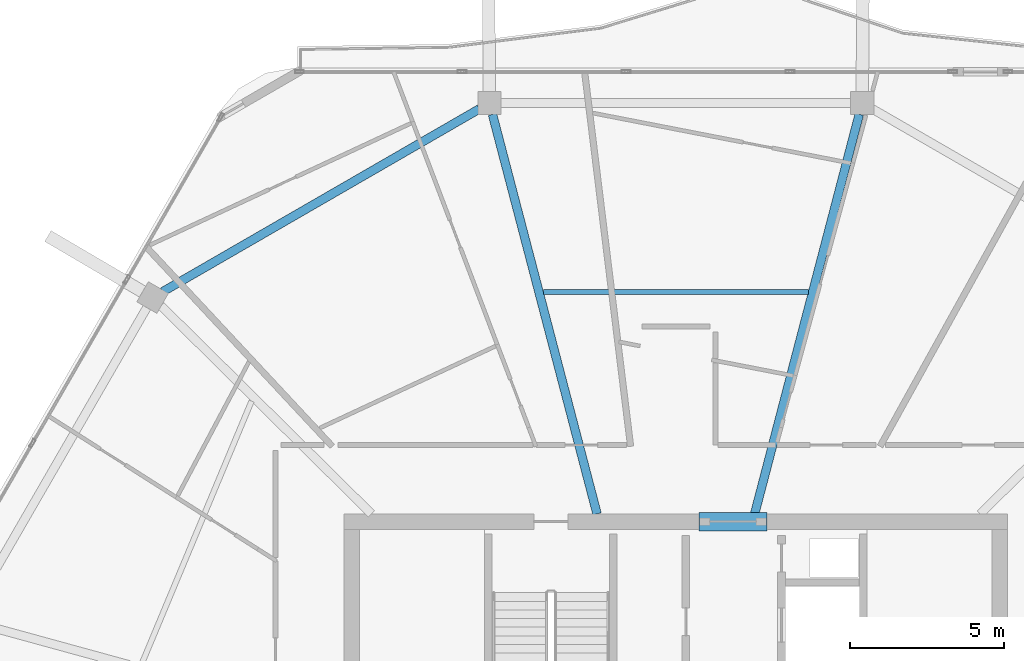
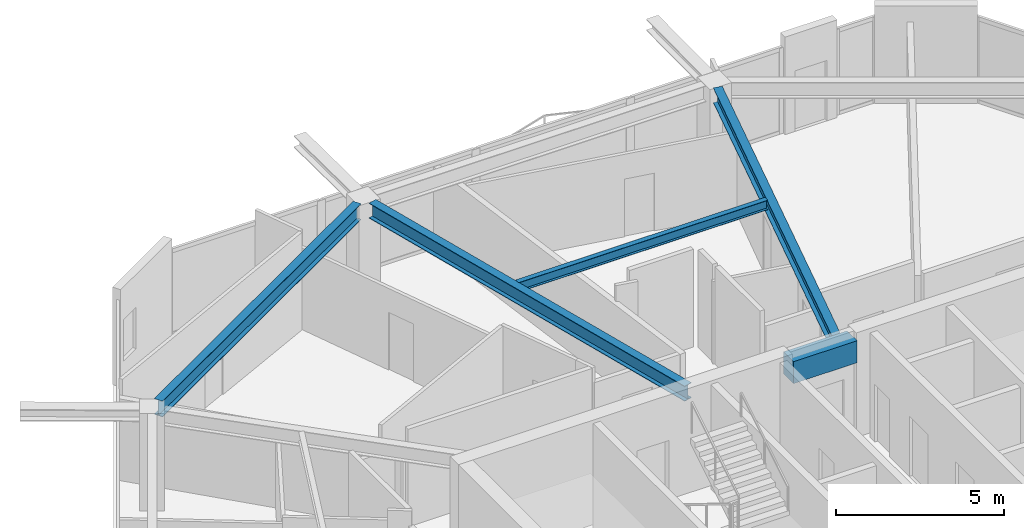
# One storey, part 9 of 21: 5 beams.
"""IFC4 building model written with IfcOpenShell, lengths in metres."""

import ifcopenshell
import ifcopenshell.guid

model = None  # the IFC model being written
_history = None  # IfcOwnerHistory: only IFC2X3 demands one
_inside = {}  # id of a spatial element -> (the spatial element, [elements in it])
_under = {}  # id of a project, library or spatial element -> (it, [spatial elements below it])
_declared = {}  # id of a project -> (the project, [libraries it declares])
_typed = {}  # id of a type object -> (the type object, [elements of that type])
_made_of = {}  # id of a material, layer set ... -> (it, [elements and type objects made of it])


def new_model(schema):
    """Start an empty IFC model of exactly this schema.

    Asked for "IFC4X3", IfcOpenShell would pick the latest addendum, in which some entities
    have other attributes; the version numbers below select the first issue.
    IFC2X3 requires an IfcOwnerHistory on every rooted entity: one is made here for all.
    """
    global model, _history
    if schema == "IFC4X3":
        model = ifcopenshell.file(schema_version=(4, 3, 0, 0))
    else:
        model = ifcopenshell.file(schema=schema)
    _inside.clear()
    _under.clear()
    _declared.clear()
    _typed.clear()
    _made_of.clear()
    _history = None
    if model.schema == "IFC2X3":
        org = make("IfcOrganization", Name="unknown")
        user = make(
            "IfcPersonAndOrganization",
            ThePerson=make("IfcPerson", FamilyName="unknown"),
            TheOrganization=org,
        )
        app = make(
            "IfcApplication",
            ApplicationDeveloper=org,
            Version="unknown",
            ApplicationFullName="unknown",
            ApplicationIdentifier="unknown",
        )
        _history = make(
            "IfcOwnerHistory",
            OwningUser=user,
            OwningApplication=app,
            ChangeAction="ADDED",
            CreationDate=0,
        )
    return model


def make(cls, **values):
    """One entity of the class cls with the attributes given. An attribute that is None is left unset."""
    return model.create_entity(
        cls, **{name: value for name, value in values.items() if value is not None}
    )


def rooted(cls, **values):
    """An entity with a GlobalId (a new one), such as an element, a storey or a relation."""
    return make(cls, GlobalId=ifcopenshell.guid.new(), OwnerHistory=_history, **values)


def si_unit(unit_type, name, prefix=None):
    """IfcSIUnit, for example si_unit("LENGTHUNIT", "METRE", prefix="MILLI")."""
    return make("IfcSIUnit", UnitType=unit_type, Prefix=prefix, Name=name)


def assignment(units):
    """IfcUnitAssignment: the units of a project."""
    return None if units is None else make("IfcUnitAssignment", Units=units)


def point(xyz):
    """IfcCartesianPoint."""
    return None if xyz is None else make("IfcCartesianPoint", Coordinates=xyz)


def direction(xyz):
    """IfcDirection."""
    return None if xyz is None else make("IfcDirection", DirectionRatios=xyz)


def frame(location, z_axis=None, x_axis=None):
    """IfcAxis2Placement3D, a coordinate frame: its origin and axes. An axis left out is left unset."""
    return make(
        "IfcAxis2Placement3D",
        Location=point(location),
        Axis=direction(z_axis),
        RefDirection=direction(x_axis),
    )


def frame_2d(location, x_axis=None):
    """IfcAxis2Placement2D, a coordinate frame in the plane: its origin and x axis."""
    return make(
        "IfcAxis2Placement2D", Location=point(location), RefDirection=direction(x_axis)
    )


def origin():
    """The frame at (0, 0, 0) with its axes left unset."""
    return frame((0.0, 0.0, 0.0))


def origin_2d():
    """The frame at (0, 0) in the plane with its x axis left unset."""
    return frame_2d((0.0, 0.0))


def place(relative_to, where):
    """IfcLocalPlacement: puts the frame where relative to a parent placement (None: the world)."""
    return make(
        "IfcLocalPlacement", PlacementRelTo=relative_to, RelativePlacement=where
    )


def context(
    kind, dimensions, precision=None, world=None, true_north=None, identifier=None
):
    """IfcGeometricRepresentationContext, for example the 3D "Model" context."""
    return make(
        "IfcGeometricRepresentationContext",
        ContextIdentifier=identifier,
        ContextType=kind,
        CoordinateSpaceDimension=dimensions,
        Precision=precision,
        WorldCoordinateSystem=world,
        TrueNorth=true_north,
    )


def subcontext(parent, identifier, kind, view, scale=None):
    """IfcGeometricRepresentationSubContext, for example "Body" below "Model"."""
    return make(
        "IfcGeometricRepresentationSubContext",
        ContextIdentifier=identifier,
        ContextType=kind,
        ParentContext=parent,
        TargetScale=scale,
        TargetView=view,
    )


def project(units=None, contexts=None):
    """IfcProject with its units and contexts."""
    return rooted(
        "IfcProject",
        Name="project",
        RepresentationContexts=contexts,
        UnitsInContext=assignment(units),
    )


def spatial(cls, under=None, at=None, **own):
    """A site, building, storey or space (cls), placed at a placement, below another one or the project."""
    s = rooted(cls, ObjectPlacement=at, **own)
    if under is not None:
        _under.setdefault(under.id(), (under, []))[1].append(s)
    return s


def profile(cls, at=None, kind="AREA", **sizes):
    """A parametric profile (cls). Its sizes go by their IFC names, for example OverallWidth=200.0."""
    return make(cls, ProfileType=kind, Position=at, **sizes)


def rectangle(**sizes):
    """IfcRectangleProfileDef."""
    return profile("IfcRectangleProfileDef", **sizes)


def i_section(**sizes):
    """IfcIShapeProfileDef."""
    return profile("IfcIShapeProfileDef", **sizes)


def extrude(swept, where, along, depth):
    """IfcExtrudedAreaSolid: the profile swept, set in the frame where, extruded along a direction by depth."""
    return make(
        "IfcExtrudedAreaSolid",
        SweptArea=swept,
        Position=where,
        ExtrudedDirection=direction(along),
        Depth=depth,
    )


def shape(context_of_items, identifier, shape_type, items):
    """IfcShapeRepresentation: the items that make up one representation, for example the "Body"."""
    return make(
        "IfcShapeRepresentation",
        ContextOfItems=context_of_items,
        RepresentationIdentifier=identifier,
        RepresentationType=shape_type,
        Items=items,
    )


def material(Name=None, Category=None):
    """IfcMaterial."""
    return make("IfcMaterial", Name=Name, Category=Category)


def material_profile(
    of_material, cross_section, Name=None, Category=None, Priority=None
):
    """IfcMaterialProfile: a cross section and its material."""
    return make(
        "IfcMaterialProfile",
        Name=Name,
        Material=of_material,
        Profile=cross_section,
        Priority=Priority,
        Category=Category,
    )


def profile_set(profiles, Name=None, composite=None):
    """IfcMaterialProfileSet."""
    return make(
        "IfcMaterialProfileSet",
        Name=Name,
        MaterialProfiles=profiles,
        CompositeProfile=composite,
    )


def made_of(thing, what):
    """Note that an element or type object is made of a material, layer set ...; save() writes the relation."""
    if what is not None:
        _made_of.setdefault(what.id(), (what, []))[1].append(thing)
    return thing


def type_object(cls, material=None, **own):
    """A type object (cls), such as IfcWallType, which elements share."""
    return made_of(rooted(cls, **own), material)


def element(
    cls,
    number,
    at=None,
    inside=None,
    cuts=None,
    type_object=None,
    material=None,
    context=None,
    identifier="Body",
    shape_type=None,
    held_by="IfcProductDefinitionShape",
    body=None,
    shapes=None,
    **own,
):
    """One element of the class cls, such as IfcWall. Its Tag is "e" and its number.

    at: its placement. inside: the storey or other place that contains it. cuts: it is an
    opening in that element (IfcRelVoidsElement). A single representation is given by context,
    identifier, shape_type and body (its items); several are given by shapes. held_by: the class
    of the entity that holds the representations. save() writes the other relations.
    """
    e = rooted(cls, Tag="e%d" % number, ObjectPlacement=at, **own)
    if body is not None:
        shapes = [shape(context, identifier, shape_type, body)]
    if shapes is not None:
        e.Representation = make(held_by, Representations=shapes)
    if inside is not None:
        _inside.setdefault(inside.id(), (inside, []))[1].append(e)
    if cuts is not None:
        rooted(
            "IfcRelVoidsElement", RelatingBuildingElement=cuts, RelatedOpeningElement=e
        )
    if type_object is not None:
        _typed.setdefault(type_object.id(), (type_object, []))[1].append(e)
    return made_of(e, material)


def aggregate(whole, parts):
    """IfcRelAggregates: a whole, such as a stair, and the parts it consists of."""
    return rooted("IfcRelAggregates", RelatingObject=whole, RelatedObjects=parts)


def save(model, path):
    """Write the relations noted so far, then the file.

    IfcRelAggregates (storeys below a building ...), IfcRelContainedInSpatialStructure (elements
    in a storey), IfcRelDefinesByType, IfcRelAssociatesMaterial and IfcRelDeclares: one each for
    every whole, place, type object, material and project.
    """
    for whole, parts in _under.values():
        aggregate(whole, parts)
    for where, things in _inside.values():
        rooted(
            "IfcRelContainedInSpatialStructure",
            RelatedElements=things,
            RelatingStructure=where,
        )
    for kind, things in _typed.values():
        rooted("IfcRelDefinesByType", RelatedObjects=things, RelatingType=kind)
    for what, things in _made_of.values():
        rooted("IfcRelAssociatesMaterial", RelatedObjects=things, RelatingMaterial=what)
    for by, libraries in _declared.values():
        rooted("IfcRelDeclares", RelatingContext=by, RelatedDefinitions=libraries)
    model.write(path)


model = new_model("IFC4")

# Units and contexts
model_context = context("Model", 3, precision=1e-05, world=origin(), true_north=direction((0.0, 1.0)))
body_context = subcontext(model_context, "Body", "Model", "MODEL_VIEW")
ifc_project = project(units=[si_unit("LENGTHUNIT", "METRE"), si_unit("AREAUNIT", "SQUARE_METRE"), si_unit("VOLUMEUNIT", "CUBIC_METRE"), si_unit("PLANEANGLEUNIT", "RADIAN"), si_unit("MASSUNIT", "GRAM", prefix="KILO")], contexts=[model_context])

# Site, building, storey
site_placement = place(None, origin())
site = spatial("IfcSite", under=ifc_project, at=site_placement, CompositionType="ELEMENT")
building_placement = place(site_placement, origin())
building = spatial("IfcBuilding", under=site, at=building_placement, Name="Zuhravey Tower", CompositionType="ELEMENT")
storey_placement = place(building_placement, frame((0.0, 0.0, 334.800048828125)))
storey = spatial("IfcBuildingStorey", under=building, at=storey_placement, Name="L85", CompositionType="ELEMENT", Elevation=334.800048828125)

# Beams
ifc_material_1 = material(Name="Concrete C50/60", Category="concrete")
ifc_material_profile_1 = material_profile(ifc_material_1, rectangle(XDim=0.60009765625, YDim=0.800048828125, at=origin_2d()), Name="RC-600x800")
ifc_profile_set_1 = profile_set([ifc_material_profile_1], Name="Concrete C50/60")
beam_type_1 = type_object("IfcBeamType", Name="Core Coupling Beam RC600x800", PredefinedType="LINTEL", material=ifc_profile_set_1)
beam_1_placement = place(storey_placement, frame((36.751953125, 41.5, 3.14990234375), z_axis=(1.0, 0.0, 0.0), x_axis=(0.0, 1.0, 0.0)))
element("IfcBeam", 1, at=beam_1_placement, inside=storey, type_object=beam_type_1, Name="L85 CB2 BM-L85-CB-N", PredefinedType="LINTEL", context=body_context, shape_type="SweptSolid", body=[
    extrude(rectangle(XDim=0.60009765625, YDim=0.800048828125, at=origin_2d()), origin(), (0.0, 0.0, 1.0), 2.196044921875),
])
ifc_material_2 = material(Name="Steel SM355", Category="steel")
ifc_material_profile_2 = material_profile(ifc_material_2, i_section(OverallWidth=0.280029296875, OverallDepth=0.580078125, WebThickness=0.011962890625, FlangeThickness=0.01904296875, at=origin_2d()), Name="H-580x280x12x19")
ifc_profile_set_2 = profile_set([ifc_material_profile_2], Name="Steel SM355")
beam_type_2 = type_object("IfcBeamType", Name="Perimeter Ring Beam H580x280", PredefinedType="BEAM", material=ifc_profile_set_2)
beam_2_placement = place(storey_placement, frame((29.634033203125, 54.875, 3.260009765625), z_axis=(-0.866030838723, -0.499990586292, 0.0), x_axis=(0.499990586292, -0.866030838723, 0.0)))
element("IfcBeam", 2, at=beam_2_placement, inside=storey, type_object=beam_type_2, Name="L85 PB4 BM-L85-PB-04", PredefinedType="BEAM", context=body_context, shape_type="SweptSolid", body=[
    extrude(i_section(OverallWidth=0.280029296875, OverallDepth=0.580078125, WebThickness=0.011962890625, FlangeThickness=0.01904296875, at=origin_2d()), origin(), (0.0, 0.0, 1.0), 11.848876953125),
])
ifc_material_profile_3 = material_profile(ifc_material_2, i_section(OverallWidth=0.280029296875, OverallDepth=0.550048828125, WebThickness=0.010986328125, FlangeThickness=0.01806640625, at=origin_2d()), Name="H-550x280x11x18")
ifc_profile_set_3 = profile_set([ifc_material_profile_3], Name="Steel SM355")
beam_type_3 = type_object("IfcBeamType", Name="Radial Primary Girder H550x280", PredefinedType="BEAM", material=ifc_profile_set_3)
for number, where, z_axis, x_axis, name in (
    (3, (38.553466796875, 41.7529296875, 3.27490234375), (0.253282562653, 0.967392342049, 0.0), (-0.967392342049, 0.253282562653, 0.0), "L85 RG4 BM-L85-RAD-03"),
    (4, (33.446533203125, 41.7529296875, 3.27490234375), (-0.253282562653, 0.967392342049, 0.0), (-0.967392342049, -0.253282562653, 0.0), "L85 RG4 BM-L85-RAD-04"),
):
    element("IfcBeam", number, at=place(storey_placement, frame(where, z_axis=z_axis, x_axis=x_axis)), inside=storey, type_object=beam_type_3, Name=name, PredefinedType="BEAM", context=body_context, shape_type="SweptSolid", body=[
        extrude(i_section(OverallWidth=0.280029296875, OverallDepth=0.550048828125, WebThickness=0.010986328125, FlangeThickness=0.01806640625, at=origin_2d()), origin(), (0.0, 0.0, 1.0), 13.3818359375),
    ])
ifc_material_profile_4 = material_profile(ifc_material_2, i_section(OverallWidth=0.175048828125, OverallDepth=0.35009765625, WebThickness=0.007080078125, FlangeThickness=0.010986328125, at=origin_2d()), Name="H-350x175x7x11")
ifc_profile_set_4 = profile_set([ifc_material_profile_4], Name="Steel SM355")
beam_type_4 = type_object("IfcBeamType", Name="Secondary Floor Joist H350x175", PredefinedType="JOIST", material=ifc_profile_set_4)
beam_3_placement = place(storey_placement, frame((40.29150390625, 48.94091796875, 3.375), z_axis=(-1.0, 0.0, 0.0), x_axis=(0.0, -1.0, 0.0)))
element("IfcBeam", 5, at=beam_3_placement, inside=storey, type_object=beam_type_4, Name="L85 SJ3 BM-L85-SJ-03-1", PredefinedType="JOIST", context=body_context, shape_type="SweptSolid", body=[
    extrude(i_section(OverallWidth=0.175048828125, OverallDepth=0.35009765625, WebThickness=0.007080078125, FlangeThickness=0.010986328125, at=origin_2d()), origin(), (0.0, 0.0, 1.0), 8.5830078125),
])

save(model, "model.ifc")
